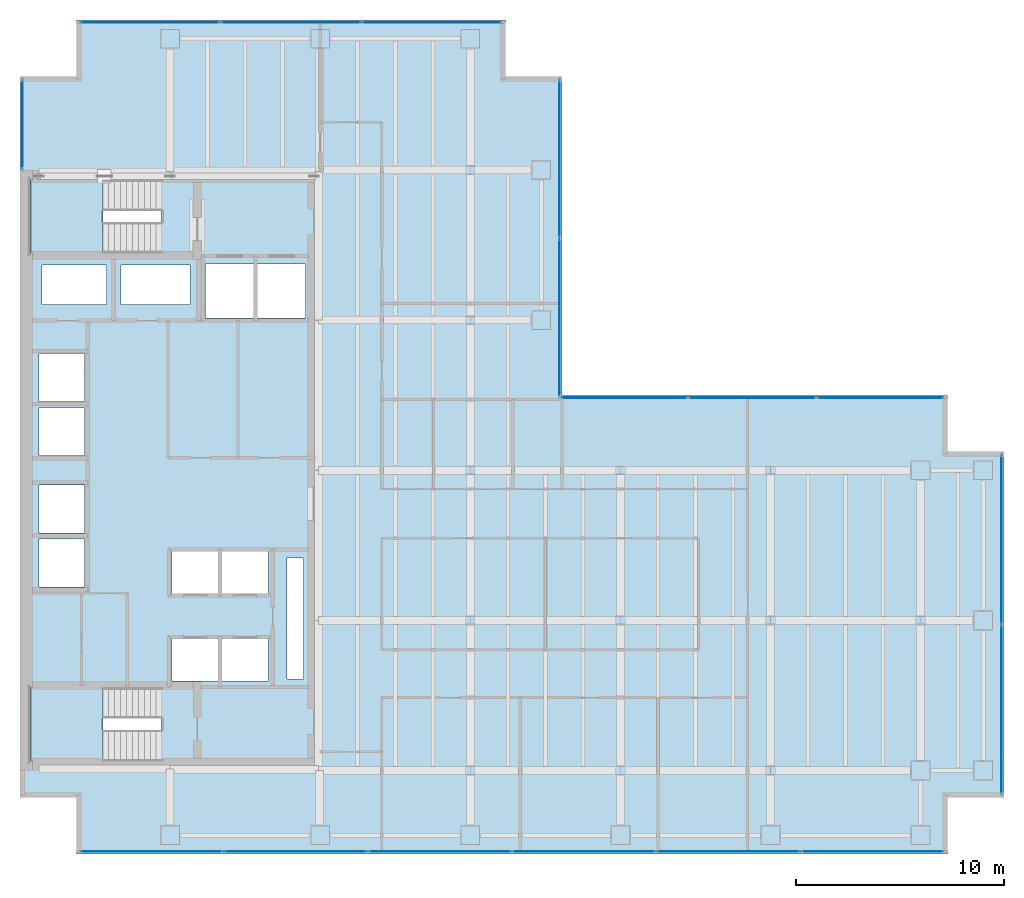
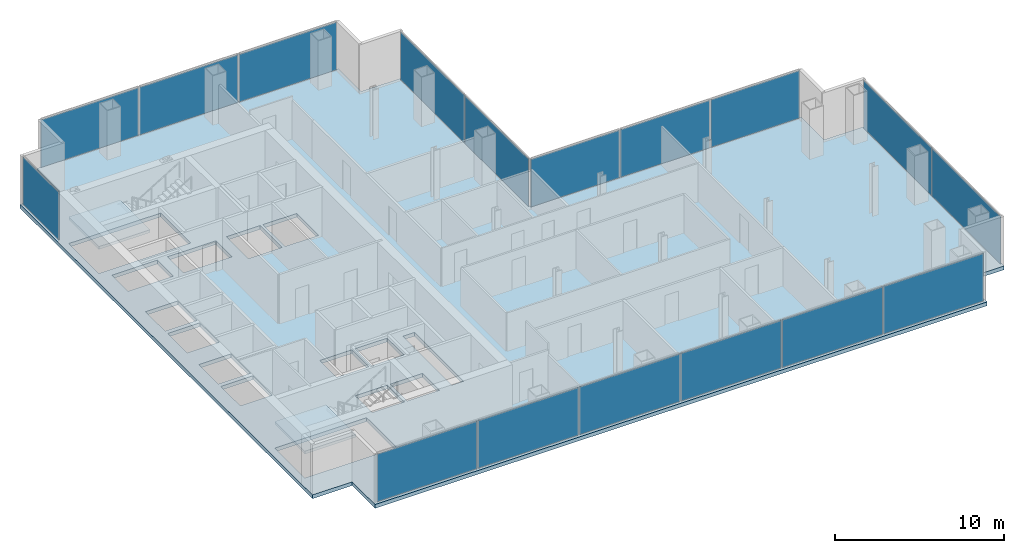
# One storey, part 19 of 23: 17 plates, 3 slabs, 15 openings, 8 elements without a shape of their own.
"""IFC4 building model written with IfcOpenShell, lengths in metres."""

from ifc_helpers import new_model, si_unit, direction, frame, origin, origin_2d, place, context, subcontext, project, spatial, polyline, rectangle, outline, extrude, material, layer, layer_set, type_object, element, aggregate, save


model = new_model("IFC4")

# Units and contexts
model_context = context("Model", 3, precision=1e-05, world=origin(), true_north=direction((0.0, 1.0)))
body_context = subcontext(model_context, "Body", "Model", "MODEL_VIEW")
ifc_project = project(units=[si_unit("LENGTHUNIT", "METRE"), si_unit("AREAUNIT", "SQUARE_METRE"), si_unit("VOLUMEUNIT", "CUBIC_METRE"), si_unit("PLANEANGLEUNIT", "RADIAN"), si_unit("MASSUNIT", "GRAM", prefix="KILO")], contexts=[model_context])

# Site, building, storey
site_placement = place(None, origin())
site = spatial("IfcSite", under=ifc_project, at=site_placement, CompositionType="ELEMENT")
building_placement = place(site_placement, origin())
building = spatial("IfcBuilding", under=site, at=building_placement, Name="Cobrela Telecom Tower", CompositionType="ELEMENT")
storey_placement = place(building_placement, frame((0.0, 0.0, 109.89990234375)))
storey = spatial("IfcBuildingStorey", under=building, at=storey_placement, Name="L27", CompositionType="ELEMENT", Elevation=109.89990234375)

# Curtain wall, plate
ifc_material_1 = material(Name="Anodized Bronze Aluminium 6063-T6", Category="aluminium")
curtain_wall_type = type_object("IfcCurtainWallType", Name="CW-SYS-TEL", PredefinedType="USERDEFINED", material=ifc_material_1)
curtain_wall_1_placement = place(storey_placement, origin())
curtain_wall_1 = element("IfcCurtainWall", 1, at=curtain_wall_1_placement, inside=storey, type_object=curtain_wall_type, Name="L27 Unitised Bronze Curtain Wall 04", ObjectType="UNITISED CURTAIN WALL", PredefinedType="USERDEFINED")
ifc_material_2 = material(Name="Solar-Control Bronze Low-E Glass", Category="glass")
ifc_layer_1 = layer(ifc_material_2, 0.035888671875)
ifc_layer_set_1 = layer_set([ifc_layer_1], Name="Solar-Control Bronze Low-E Glass")
plate_type = type_object("IfcPlateType", Name="CW-SYS-TEL-PNL", PredefinedType="CURTAIN_PANEL", material=ifc_layer_set_1)
plate_1_placement = place(storey_placement, frame((0.1201171875, 38.18505859375, 0.070068359375), z_axis=(0.0, 0.0, 1.0), x_axis=(0.0, 1.0, 0.0)))
plate_1 = element("IfcPlate", 2, at=plate_1_placement, type_object=plate_type, Name="CW-TEL panel 1.1", PredefinedType="CURTAIN_PANEL", context=body_context, shape_type="SweptSolid", body=[
    extrude(rectangle(XDim=4.219970703125, YDim=0.035888671875, at=origin_2d()), origin(), (0.0, 0.0, 1.0), 3.43994140625),
])
aggregate(curtain_wall_1, [plate_1])

# Curtain wall, plates
curtain_wall_2_placement = place(storey_placement, origin())
curtain_wall_2 = element("IfcCurtainWall", 3, at=curtain_wall_2_placement, inside=storey, type_object=curtain_wall_type, Name="L27 Unitised Bronze Curtain Wall 07", ObjectType="UNITISED CURTAIN WALL", PredefinedType="USERDEFINED")
plate_2_placement = place(storey_placement, frame((6.23876953125, 43.080078125, 0.070068359375), z_axis=(0.0, 0.0, 1.0), x_axis=(1.0, 0.0, 0.0)))
plate_2 = element("IfcPlate", 4, at=plate_2_placement, type_object=plate_type, Name="CW-TEL panel 1.1", PredefinedType="CURTAIN_PANEL", context=body_context, shape_type="SweptSolid", body=[
    extrude(rectangle(XDim=6.66748046875, YDim=0.035888671875, at=origin_2d()), origin(), (0.0, 0.0, 1.0), 3.43994140625),
])
plate_3_placement = place(storey_placement, frame((13.0, 43.080078125, 0.070068359375), z_axis=(0.0, 0.0, 1.0), x_axis=(1.0, 0.0, 0.0)))
plate_3 = element("IfcPlate", 5, at=plate_3_placement, type_object=plate_type, Name="CW-TEL panel 2.1", PredefinedType="CURTAIN_PANEL", context=body_context, shape_type="SweptSolid", body=[
    extrude(rectangle(XDim=6.705078125, YDim=0.035888671875, at=origin_2d()), origin(), (0.0, 0.0, 1.0), 3.43994140625),
])
plate_4_placement = place(storey_placement, frame((19.76123046875, 43.080078125, 0.070068359375), z_axis=(0.0, 0.0, 1.0), x_axis=(1.0, 0.0, 0.0)))
plate_4 = element("IfcPlate", 6, at=plate_4_placement, type_object=plate_type, Name="CW-TEL panel 3.1", PredefinedType="CURTAIN_PANEL", context=body_context, shape_type="SweptSolid", body=[
    extrude(rectangle(XDim=6.66748046875, YDim=0.035888671875, at=origin_2d()), origin(), (0.0, 0.0, 1.0), 3.43994140625),
])
aggregate(curtain_wall_2, [plate_2, plate_3, plate_4])

curtain_wall_3_placement = place(storey_placement, origin())
curtain_wall_3 = element("IfcCurtainWall", 7, at=curtain_wall_3_placement, inside=storey, type_object=curtain_wall_type, Name="L27 Unitised Bronze Curtain Wall 10", ObjectType="UNITISED CURTAIN WALL", PredefinedType="USERDEFINED")
plate_5_placement = place(storey_placement, frame((25.8798828125, 36.52880859375, 0.070068359375), z_axis=(0.0, 0.0, 1.0), x_axis=(0.0, -1.0, 0.0)))
plate_5 = element("IfcPlate", 8, at=plate_5_placement, type_object=plate_type, Name="CW-TEL panel 1.1", PredefinedType="CURTAIN_PANEL", context=body_context, shape_type="SweptSolid", body=[
    extrude(rectangle(XDim=7.532470703125, YDim=0.035888671875, at=origin_2d()), origin(), (0.0, 0.0, 1.0), 3.43994140625),
])
plate_6_placement = place(storey_placement, frame((25.8798828125, 28.921142578125, 0.070068359375), z_axis=(0.0, 0.0, 1.0), x_axis=(0.0, -1.0, 0.0)))
plate_6 = element("IfcPlate", 9, at=plate_6_placement, type_object=plate_type, Name="CW-TEL panel 2.1", PredefinedType="CURTAIN_PANEL", context=body_context, shape_type="SweptSolid", body=[
    extrude(rectangle(XDim=7.532470703125, YDim=0.035888671875, at=origin_2d()), origin(), (0.0, 0.0, 1.0), 3.43994140625),
])
aggregate(curtain_wall_3, [plate_5, plate_6])

curtain_wall_4_placement = place(storey_placement, origin())
curtain_wall_4 = element("IfcCurtainWall", 10, at=curtain_wall_4_placement, inside=storey, type_object=curtain_wall_type, Name="L27 Unitised Bronze Curtain Wall 11", ObjectType="UNITISED CURTAIN WALL", PredefinedType="USERDEFINED")
plate_7_placement = place(storey_placement, frame((28.98046875, 25.080078125, 0.070068359375), z_axis=(0.0, 0.0, 1.0), x_axis=(1.0, 0.0, 0.0)))
plate_7 = element("IfcPlate", 11, at=plate_7_placement, type_object=plate_type, Name="CW-TEL panel 1.1", PredefinedType="CURTAIN_PANEL", context=body_context, shape_type="SweptSolid", body=[
    extrude(rectangle(XDim=6.05078125, YDim=0.035888671875, at=origin_2d()), origin(), (0.0, 0.0, 1.0), 3.43994140625),
])
plate_8_placement = place(storey_placement, frame((35.125, 25.080078125, 0.070068359375), z_axis=(0.0, 0.0, 1.0), x_axis=(1.0, 0.0, 0.0)))
plate_8 = element("IfcPlate", 12, at=plate_8_placement, type_object=plate_type, Name="CW-TEL panel 2.1", PredefinedType="CURTAIN_PANEL", context=body_context, shape_type="SweptSolid", body=[
    extrude(rectangle(XDim=6.08837890625, YDim=0.035888671875, at=origin_2d()), origin(), (0.0, 0.0, 1.0), 3.43994140625),
])
plate_9_placement = place(storey_placement, frame((41.26953125, 25.080078125, 0.070068359375), z_axis=(0.0, 0.0, 1.0), x_axis=(1.0, 0.0, 0.0)))
plate_9 = element("IfcPlate", 13, at=plate_9_placement, type_object=plate_type, Name="CW-TEL panel 3.1", PredefinedType="CURTAIN_PANEL", context=body_context, shape_type="SweptSolid", body=[
    extrude(rectangle(XDim=6.05078125, YDim=0.035888671875, at=origin_2d()), origin(), (0.0, 0.0, 1.0), 3.43994140625),
])
aggregate(curtain_wall_4, [plate_7, plate_8, plate_9])

curtain_wall_5_placement = place(storey_placement, origin())
curtain_wall_5 = element("IfcCurtainWall", 14, at=curtain_wall_5_placement, inside=storey, type_object=curtain_wall_type, Name="L27 Unitised Bronze Curtain Wall 14", ObjectType="UNITISED CURTAIN WALL", PredefinedType="USERDEFINED")
plate_10_placement = place(storey_placement, frame((47.080078125, 18.266357421875, 0.070068359375), z_axis=(0.0, 0.0, 1.0), x_axis=(0.0, -1.0, 0.0)))
plate_10 = element("IfcPlate", 15, at=plate_10_placement, type_object=plate_type, Name="CW-TEL panel 1.1", PredefinedType="CURTAIN_PANEL", context=body_context, shape_type="SweptSolid", body=[
    extrude(rectangle(XDim=8.0576171875, YDim=0.035888671875, at=origin_2d()), origin(), (0.0, 0.0, 1.0), 3.43994140625),
])
plate_11_placement = place(storey_placement, frame((47.080078125, 10.1337890625, 0.070068359375), z_axis=(0.0, 0.0, 1.0), x_axis=(0.0, -1.0, 0.0)))
plate_11 = element("IfcPlate", 16, at=plate_11_placement, type_object=plate_type, Name="CW-TEL panel 2.1", PredefinedType="CURTAIN_PANEL", context=body_context, shape_type="SweptSolid", body=[
    extrude(rectangle(XDim=8.0576171875, YDim=0.035888671875, at=origin_2d()), origin(), (0.0, 0.0, 1.0), 3.43994140625),
])
aggregate(curtain_wall_5, [plate_10, plate_11])

curtain_wall_6_placement = place(storey_placement, origin())
curtain_wall_6 = element("IfcCurtainWall", 17, at=curtain_wall_6_placement, inside=storey, type_object=curtain_wall_type, Name="L27 Unitised Bronze Curtain Wall 17", ObjectType="UNITISED CURTAIN WALL", PredefinedType="USERDEFINED")
plate_12_placement = place(storey_placement, frame((40.8896484375, 3.320068359375, 0.070068359375), z_axis=(0.0, 0.0, 1.0), x_axis=(-1.0, 0.0, 0.0)))
plate_12 = element("IfcPlate", 18, at=plate_12_placement, type_object=plate_type, Name="CW-TEL panel 1.1", PredefinedType="CURTAIN_PANEL", context=body_context, shape_type="SweptSolid", body=[
    extrude(rectangle(XDim=6.810791015625, YDim=0.035888671875, at=origin_2d()), origin(), (0.0, 0.0, 1.0), 3.43994140625),
])
plate_13_placement = place(storey_placement, frame((33.985107421875, 3.320068359375, 0.070068359375), z_axis=(0.0, 0.0, 1.0), x_axis=(-1.0, 0.0, 0.0)))
plate_13 = element("IfcPlate", 19, at=plate_13_placement, type_object=plate_type, Name="CW-TEL panel 2.1", PredefinedType="CURTAIN_PANEL", context=body_context, shape_type="SweptSolid", body=[
    extrude(rectangle(XDim=6.848388671875, YDim=0.035888671875, at=origin_2d()), origin(), (0.0, 0.0, 1.0), 3.43994140625),
])
plate_14_placement = place(storey_placement, frame((27.061767578125, 3.320068359375, 0.070068359375), z_axis=(0.0, 0.0, 1.0), x_axis=(-1.0, 0.0, 0.0)))
plate_14 = element("IfcPlate", 20, at=plate_14_placement, type_object=plate_type, Name="CW-TEL panel 3.1", PredefinedType="CURTAIN_PANEL", context=body_context, shape_type="SweptSolid", body=[
    extrude(rectangle(XDim=6.848388671875, YDim=0.035888671875, at=origin_2d()), origin(), (0.0, 0.0, 1.0), 3.43994140625),
])
plate_15_placement = place(storey_placement, frame((20.138427734375, 3.320068359375, 0.070068359375), z_axis=(0.0, 0.0, 1.0), x_axis=(-1.0, 0.0, 0.0)))
plate_15 = element("IfcPlate", 21, at=plate_15_placement, type_object=plate_type, Name="CW-TEL panel 4.1", PredefinedType="CURTAIN_PANEL", context=body_context, shape_type="SweptSolid", body=[
    extrude(rectangle(XDim=6.848388671875, YDim=0.035888671875, at=origin_2d()), origin(), (0.0, 0.0, 1.0), 3.43994140625),
])
plate_16_placement = place(storey_placement, frame((13.215087890625, 3.320068359375, 0.070068359375), z_axis=(0.0, 0.0, 1.0), x_axis=(-1.0, 0.0, 0.0)))
plate_16 = element("IfcPlate", 22, at=plate_16_placement, type_object=plate_type, Name="CW-TEL panel 5.1", PredefinedType="CURTAIN_PANEL", context=body_context, shape_type="SweptSolid", body=[
    extrude(rectangle(XDim=6.848388671875, YDim=0.035888671875, at=origin_2d()), origin(), (0.0, 0.0, 1.0), 3.43994140625),
])
plate_17_placement = place(storey_placement, frame((6.310302734375, 3.320068359375, 0.070068359375), z_axis=(0.0, 0.0, 1.0), x_axis=(-1.0, 0.0, 0.0)))
plate_17 = element("IfcPlate", 23, at=plate_17_placement, type_object=plate_type, Name="CW-TEL panel 6.1", PredefinedType="CURTAIN_PANEL", context=body_context, shape_type="SweptSolid", body=[
    extrude(rectangle(XDim=6.810791015625, YDim=0.035888671875, at=origin_2d()), origin(), (0.0, 0.0, 1.0), 3.43994140625),
])
aggregate(curtain_wall_6, [plate_12, plate_13, plate_14, plate_15, plate_16, plate_17])

# Slab, openings
ifc_material_3 = material(Name="Concrete C40/50", Category="concrete")
ifc_layer_2 = layer(ifc_material_3, 0.27001953125)
ifc_layer_set_2 = layer_set([ifc_layer_2], Name="Concrete C40/50")
slab_type_1 = type_object("IfcSlabType", Name="SLAB-FLR-270", PredefinedType="FLOOR", material=ifc_layer_set_2)
slab_1_placement = place(storey_placement, frame((0.0, 0.0, -0.27001953125)))
slab_1 = element("IfcSlab", 24, at=slab_1_placement, inside=storey, type_object=slab_type_1, Name="L27 Structural Floor Slab", PredefinedType="FLOOR", context=body_context, shape_type="SweptSolid", body=[
    extrude(outline(polyline([(2.7099609375, 3.199951171875), (44.489990234375, 3.199951171875), (44.489990234375, 5.909912109375), (47.199951171875, 5.909912109375), (47.199951171875, 22.489990234375), (44.489990234375, 22.489990234375), (44.489990234375, 25.199951171875), (26.0, 25.199951171875), (26.0, 40.489990234375), (23.2900390625, 40.489990234375), (23.2900390625, 43.199951171875), (2.7099609375, 43.199951171875), (2.7099609375, 40.489990234375), (0.0, 40.489990234375), (0.0, 5.909912109375), (2.7099609375, 5.909912109375), (2.7099609375, 3.199951171875)])), origin(), (0.0, 0.0, 1.0), 0.27001953125),
])
opening_1_placement = place(slab_1_placement, frame((0.0, 0.0, -0.02001953125)))
element("IfcOpeningElement", 25, at=opening_1_placement, cuts=slab_1, Name="Slab Shaft Opening SLAB-L27-MAIN.1", PredefinedType="OPENING", context=body_context, shape_type="SweptSolid", body=[
    extrude(outline(polyline([(8.89990234375, 28.89990234375), (11.199951171875, 28.89990234375), (11.199951171875, 31.5), (8.89990234375, 31.5), (8.89990234375, 28.89990234375)])), origin(), (0.0, 0.0, 1.0), 0.31005859375),
])
opening_2_placement = place(slab_1_placement, frame((0.0, 0.0, -0.02001953125)))
element("IfcOpeningElement", 26, at=opening_2_placement, cuts=slab_1, Name="Slab Shaft Opening SLAB-L27-MAIN.2", PredefinedType="OPENING", context=body_context, shape_type="SweptSolid", body=[
    extrude(outline(polyline([(11.39990234375, 28.89990234375), (13.699951171875, 28.89990234375), (13.699951171875, 31.5), (11.39990234375, 31.5), (11.39990234375, 28.89990234375)])), origin(), (0.0, 0.0, 1.0), 0.31005859375),
])
opening_3_placement = place(slab_1_placement, frame((0.0, 0.0, -0.02001953125)))
element("IfcOpeningElement", 27, at=opening_3_placement, cuts=slab_1, Name="Slab Shaft Opening SLAB-L27-MAIN.3", PredefinedType="OPENING", context=body_context, shape_type="SweptSolid", body=[
    extrude(outline(polyline([(7.300048828125, 15.699951171875), (9.5, 15.699951171875), (9.5, 17.699951171875), (7.300048828125, 17.699951171875), (7.300048828125, 15.699951171875)])), origin(), (0.0, 0.0, 1.0), 0.31005859375),
])
opening_4_placement = place(slab_1_placement, frame((0.0, 0.0, -0.02001953125)))
element("IfcOpeningElement", 28, at=opening_4_placement, cuts=slab_1, Name="Slab Shaft Opening SLAB-L27-MAIN.4", PredefinedType="OPENING", context=body_context, shape_type="SweptSolid", body=[
    extrude(outline(polyline([(9.699951171875, 15.699951171875), (11.89990234375, 15.699951171875), (11.89990234375, 17.699951171875), (9.699951171875, 17.699951171875), (9.699951171875, 15.699951171875)])), origin(), (0.0, 0.0, 1.0), 0.31005859375),
])
opening_5_placement = place(slab_1_placement, frame((0.0, 0.0, -0.02001953125)))
element("IfcOpeningElement", 29, at=opening_5_placement, cuts=slab_1, Name="Slab Shaft Opening SLAB-L27-MAIN.5", PredefinedType="OPENING", context=body_context, shape_type="SweptSolid", body=[
    extrude(outline(polyline([(7.300048828125, 11.5), (9.5, 11.5), (9.5, 13.5), (7.300048828125, 13.5), (7.300048828125, 11.5)])), origin(), (0.0, 0.0, 1.0), 0.31005859375),
])
opening_6_placement = place(slab_1_placement, frame((0.0, 0.0, -0.02001953125)))
element("IfcOpeningElement", 30, at=opening_6_placement, cuts=slab_1, Name="Slab Shaft Opening SLAB-L27-MAIN.6", PredefinedType="OPENING", context=body_context, shape_type="SweptSolid", body=[
    extrude(outline(polyline([(9.699951171875, 11.5), (11.89990234375, 11.5), (11.89990234375, 13.5), (9.699951171875, 13.5), (9.699951171875, 11.5)])), origin(), (0.0, 0.0, 1.0), 0.31005859375),
])
opening_7_placement = place(slab_1_placement, frame((0.0, 0.0, -0.02001953125)))
element("IfcOpeningElement", 31, at=opening_7_placement, cuts=slab_1, Name="Slab Shaft Opening SLAB-L27-MAIN.7", PredefinedType="OPENING", context=body_context, shape_type="SweptSolid", body=[
    extrude(outline(polyline([(0.89990234375, 16.0), (3.10009765625, 16.0), (3.10009765625, 18.300048828125), (0.89990234375, 18.300048828125), (0.89990234375, 16.0)])), origin(), (0.0, 0.0, 1.0), 0.31005859375),
])
opening_8_placement = place(slab_1_placement, frame((0.0, 0.0, -0.02001953125)))
element("IfcOpeningElement", 32, at=opening_8_placement, cuts=slab_1, Name="Slab Shaft Opening SLAB-L27-MAIN.8", PredefinedType="OPENING", context=body_context, shape_type="SweptSolid", body=[
    extrude(outline(polyline([(0.89990234375, 18.60009765625), (3.10009765625, 18.60009765625), (3.10009765625, 20.89990234375), (0.89990234375, 20.89990234375), (0.89990234375, 18.60009765625)])), origin(), (0.0, 0.0, 1.0), 0.31005859375),
])
opening_9_placement = place(slab_1_placement, frame((0.0, 0.0, -0.02001953125)))
element("IfcOpeningElement", 33, at=opening_9_placement, cuts=slab_1, Name="Slab Shaft Opening SLAB-L27-MAIN.9", PredefinedType="OPENING", context=body_context, shape_type="SweptSolid", body=[
    extrude(outline(polyline([(0.89990234375, 22.300048828125), (3.10009765625, 22.300048828125), (3.10009765625, 24.60009765625), (0.89990234375, 24.60009765625), (0.89990234375, 22.300048828125)])), origin(), (0.0, 0.0, 1.0), 0.31005859375),
])
opening_10_placement = place(slab_1_placement, frame((0.0, 0.0, -0.02001953125)))
element("IfcOpeningElement", 34, at=opening_10_placement, cuts=slab_1, Name="Slab Shaft Opening SLAB-L27-MAIN.10", PredefinedType="OPENING", context=body_context, shape_type="SweptSolid", body=[
    extrude(outline(polyline([(0.89990234375, 24.89990234375), (3.10009765625, 24.89990234375), (3.10009765625, 27.199951171875), (0.89990234375, 27.199951171875), (0.89990234375, 24.89990234375)])), origin(), (0.0, 0.0, 1.0), 0.31005859375),
])
opening_11_placement = place(slab_1_placement, frame((0.0, 0.0, -0.02001953125)))
element("IfcOpeningElement", 35, at=opening_11_placement, cuts=slab_1, Name="Slab Shaft Opening SLAB-L27-MAIN.11", PredefinedType="OPENING", context=body_context, shape_type="SweptSolid", body=[
    extrude(outline(polyline([(1.050048828125, 29.550048828125), (4.14990234375, 29.550048828125), (4.14990234375, 31.449951171875), (1.050048828125, 31.449951171875), (1.050048828125, 29.550048828125)])), origin(), (0.0, 0.0, 1.0), 0.31005859375),
])
opening_12_placement = place(slab_1_placement, frame((0.0, 0.0, -0.02001953125)))
element("IfcOpeningElement", 36, at=opening_12_placement, cuts=slab_1, Name="Slab Shaft Opening SLAB-L27-MAIN.12", PredefinedType="OPENING", context=body_context, shape_type="SweptSolid", body=[
    extrude(outline(polyline([(4.85009765625, 29.550048828125), (8.14990234375, 29.550048828125), (8.14990234375, 31.449951171875), (4.85009765625, 31.449951171875), (4.85009765625, 29.550048828125)])), origin(), (0.0, 0.0, 1.0), 0.31005859375),
])
opening_13_placement = place(slab_1_placement, frame((0.0, 0.0, -0.02001953125)))
element("IfcOpeningElement", 37, at=opening_13_placement, cuts=slab_1, Name="Slab Shaft Opening SLAB-L27-MAIN.13", PredefinedType="OPENING", context=body_context, shape_type="SweptSolid", body=[
    extrude(outline(polyline([(12.800048828125, 11.60009765625), (13.60009765625, 11.60009765625), (13.60009765625, 17.39990234375), (12.800048828125, 17.39990234375), (12.800048828125, 11.60009765625)])), origin(), (0.0, 0.0, 1.0), 0.31005859375),
])
opening_14_placement = place(slab_1_placement, frame((0.0, 0.0, -0.02001953125)))
element("IfcOpeningElement", 38, at=opening_14_placement, cuts=slab_1, Name="Slab Shaft Opening SLAB-L27-MAIN.14", PredefinedType="OPENING", context=body_context, shape_type="SweptSolid", body=[
    extrude(outline(polyline([(6.7548828125, 35.550048828125), (0.47998046875, 35.550048828125), (0.47998046875, 32.0), (6.7548828125, 32.0), (6.7548828125, 35.550048828125)])), origin(), (0.0, 0.0, 1.0), 0.31005859375),
])
opening_15_placement = place(slab_1_placement, frame((0.0, 0.0, -0.02001953125)))
element("IfcOpeningElement", 39, at=opening_15_placement, cuts=slab_1, Name="Slab Shaft Opening SLAB-L27-MAIN.15", PredefinedType="OPENING", context=body_context, shape_type="SweptSolid", body=[
    extrude(outline(polyline([(6.7548828125, 11.199951171875), (0.47998046875, 11.199951171875), (0.47998046875, 7.64990234375), (6.7548828125, 7.64990234375), (6.7548828125, 11.199951171875)])), origin(), (0.0, 0.0, 1.0), 0.31005859375),
])

# Stair, slab
stair_type = type_object("IfcStairType", Name="STAIR-CORE", PredefinedType="HALF_TURN_STAIR", material=ifc_material_3)
stair_1_placement = place(storey_placement, origin())
stair_1 = element("IfcStair", 40, at=stair_1_placement, inside=storey, type_object=stair_type, Name="L27 Smokeproof Exit Stair ST1", PredefinedType="HALF_TURN_STAIR")
ifc_layer_3 = layer(ifc_material_3, 0.199951171875)
ifc_layer_set_3 = layer_set([ifc_layer_3], Name="Concrete C40/50")
slab_type_2 = type_object("IfcSlabType", Name="SLAB-LAND-200", PredefinedType="LANDING", material=ifc_layer_set_3)
slab_2_placement = place(storey_placement, frame((0.0, 0.0, 1.72509765625)))
slab_2 = element("IfcSlab", 41, at=slab_2_placement, type_object=slab_type_2, Name="ST1 landing 1", PredefinedType="LANDING", context=body_context, shape_type="SweptSolid", body=[
    extrude(outline(polyline([(3.969970703125, 35.550048828125), (0.47998046875, 35.550048828125), (0.47998046875, 32.0), (3.969970703125, 32.0), (3.969970703125, 35.550048828125)])), origin(), (0.0, 0.0, 1.0), 0.199951171875),
])
aggregate(stair_1, [slab_2])

stair_2_placement = place(storey_placement, origin())
stair_2 = element("IfcStair", 42, at=stair_2_placement, inside=storey, type_object=stair_type, Name="L27 Smokeproof Exit Stair ST2", PredefinedType="HALF_TURN_STAIR")
slab_3_placement = place(storey_placement, frame((0.0, 0.0, 1.72509765625)))
slab_3 = element("IfcSlab", 43, at=slab_3_placement, type_object=slab_type_2, Name="ST2 landing 1", PredefinedType="LANDING", context=body_context, shape_type="SweptSolid", body=[
    extrude(outline(polyline([(3.969970703125, 11.199951171875), (0.47998046875, 11.199951171875), (0.47998046875, 7.64990234375), (3.969970703125, 7.64990234375), (3.969970703125, 11.199951171875)])), origin(), (0.0, 0.0, 1.0), 0.199951171875),
])
aggregate(stair_2, [slab_3])

save(model, "model.ifc")
